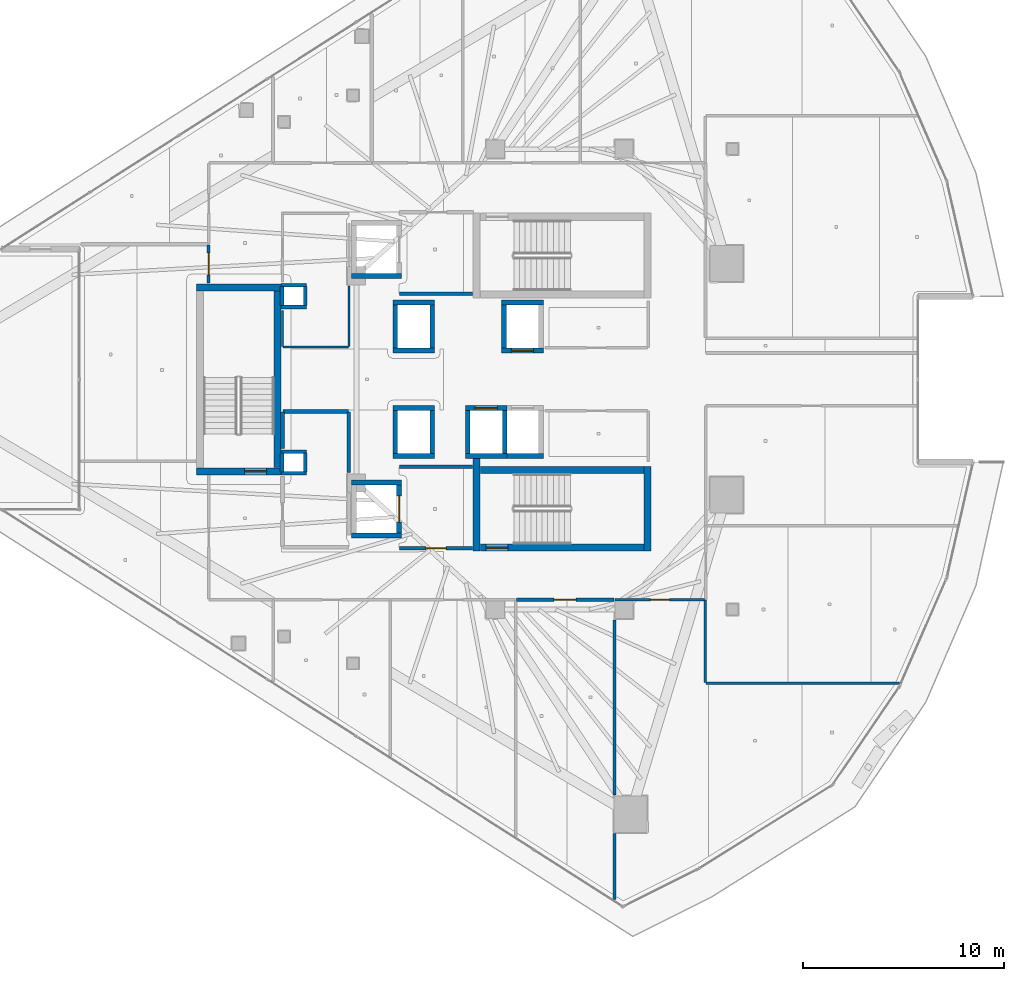
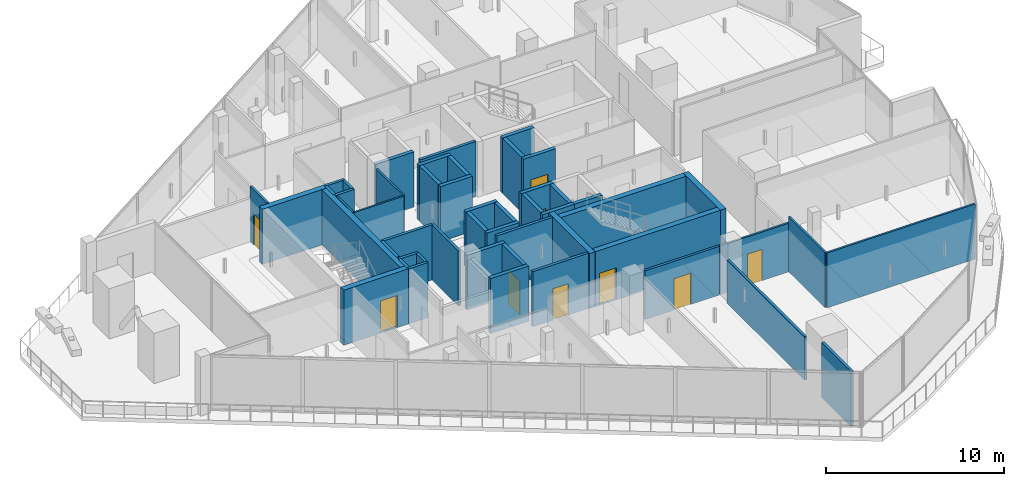
# One storey, part 21 of 32: 51 walls, 9 doors, 9 openings.
"""IFC4 building model written with IfcOpenShell, lengths in metres."""

from ifc_helpers import new_model, si_unit, direction, frame, frame_2d, origin, place, context, subcontext, project, spatial, rectangle, extrude, material, layer, layer_set, type_object, element, fill, save


model = new_model("IFC4")

# Units and contexts
model_context = context("Model", 3, precision=1e-05, world=origin(), true_north=direction((0.0, 1.0)))
body_context = subcontext(model_context, "Body", "Model", "MODEL_VIEW")
ifc_project = project(units=[si_unit("LENGTHUNIT", "METRE"), si_unit("AREAUNIT", "SQUARE_METRE"), si_unit("VOLUMEUNIT", "CUBIC_METRE"), si_unit("PLANEANGLEUNIT", "RADIAN"), si_unit("MASSUNIT", "GRAM", prefix="KILO")], contexts=[model_context])

# Site, building, storey
site_placement = place(None, origin())
site = spatial("IfcSite", under=ifc_project, at=site_placement, CompositionType="ELEMENT")
building_placement = place(site_placement, origin())
building = spatial("IfcBuilding", under=site, at=building_placement, Name="Qorvath Tower", CompositionType="ELEMENT")
storey_placement = place(building_placement, frame((0.0, 0.0, 233.39990234375)))
storey = spatial("IfcBuildingStorey", under=building, at=storey_placement, Name="L54", CompositionType="ELEMENT", Elevation=233.39990234375)

# Walls
ifc_material_1 = material(Name="Gypsum shaftliner on steel studs", Category="steel")
ifc_layer_1 = layer(ifc_material_1, 0.179931640625)
ifc_layer_set_1 = layer_set([ifc_layer_1], Name="FW-LOBBY")
wall_type_1 = type_object("IfcWallType", Name="FW-LOBBY", PredefinedType="PARTITIONING", material=ifc_layer_set_1)
for number, where, z_axis, x_axis, name in (
    (1, (-32.989990234375, 3.594970703125, 0.0), (0.0, 0.0, 1.0), (-1.0, 0.0, 0.0), "MEP Riser Shaft Enclosure Wall N-L54-S"),
    (2, (-34.260009765625, 4.675048828125, 0.0), (0.0, 0.0, 1.0), (1.0, 0.0, 0.0), "MEP Riser Shaft Enclosure Wall N-L54-N"),
):
    element("IfcWall", number, at=place(storey_placement, frame(where, z_axis=z_axis, x_axis=x_axis)), inside=storey, type_object=wall_type_1, Name=name, PredefinedType="PARTITIONING", context=body_context, shape_type="SweptSolid", body=[
        extrude(rectangle(XDim=1.27001953125, YDim=0.179931640625, at=frame_2d((0.635009765625, 0.0))), origin(), (0.0, 0.0, 1.0), 3.780029296875),
    ])
for number, where, z_axis, x_axis, name in (
    (3, (-34.205078125, 3.659912109375, 0.0), (0.0, 0.0, 1.0), (0.0, 1.0, 0.0), "MEP Riser Shaft Enclosure Wall N-L54-W"),
    (4, (-33.044921875, 4.610107421875, 0.0), (0.0, 0.0, 1.0), (0.0, -1.0, 0.0), "MEP Riser Shaft Enclosure Wall N-L54-E"),
):
    element("IfcWall", number, at=place(storey_placement, frame(where, z_axis=z_axis, x_axis=x_axis)), inside=storey, type_object=wall_type_1, Name=name, PredefinedType="PARTITIONING", context=body_context, shape_type="SweptSolid", body=[
        extrude(rectangle(XDim=0.9501953125, YDim=0.179931640625, at=frame_2d((0.47509765625, 0.0))), origin(), (0.0, 0.0, 1.0), 3.780029296875),
    ])
for number, where, z_axis, x_axis, name in (
    (5, (-32.989990234375, -4.675048828125, 0.0), (0.0, 0.0, 1.0), (-1.0, 0.0, 0.0), "MEP Riser Shaft Enclosure Wall S-L54-S"),
    (6, (-34.260009765625, -3.594970703125, 0.0), (0.0, 0.0, 1.0), (1.0, 0.0, 0.0), "MEP Riser Shaft Enclosure Wall S-L54-N"),
):
    element("IfcWall", number, at=place(storey_placement, frame(where, z_axis=z_axis, x_axis=x_axis)), inside=storey, type_object=wall_type_1, Name=name, PredefinedType="PARTITIONING", context=body_context, shape_type="SweptSolid", body=[
        extrude(rectangle(XDim=1.27001953125, YDim=0.179931640625, at=frame_2d((0.635009765625, 0.0))), origin(), (0.0, 0.0, 1.0), 3.780029296875),
    ])
for number, where, z_axis, x_axis, name in (
    (7, (-34.205078125, -4.610107421875, 0.0), (0.0, 0.0, 1.0), (0.0, 1.0, 0.0), "MEP Riser Shaft Enclosure Wall S-L54-W"),
    (8, (-33.044921875, -3.659912109375, 0.0), (0.0, 0.0, 1.0), (0.0, -1.0, 0.0), "MEP Riser Shaft Enclosure Wall S-L54-E"),
):
    element("IfcWall", number, at=place(storey_placement, frame(where, z_axis=z_axis, x_axis=x_axis)), inside=storey, type_object=wall_type_1, Name=name, PredefinedType="PARTITIONING", context=body_context, shape_type="SweptSolid", body=[
        extrude(rectangle(XDim=0.9501953125, YDim=0.179931640625, at=frame_2d((0.47509765625, 0.0))), origin(), (0.0, 0.0, 1.0), 3.780029296875),
    ])
wall_1_placement = place(storey_placement, frame((-28.35498046875, 4.25, 0.0), z_axis=(0.0, 0.0, 1.0), x_axis=(1.0, 0.0, 0.0)))
element("IfcWall", 9, at=wall_1_placement, inside=storey, type_object=wall_type_1, Name="Interior Partition IW-T1-L54-001", PredefinedType="PARTITIONING", context=body_context, shape_type="SweptSolid", body=[
    extrude(rectangle(XDim=3.6220703125, YDim=0.179931640625, at=frame_2d((1.81103515625, 0.0))), origin(), (0.0, 0.0, 1.0), 3.780029296875),
])

# Wall, opening, door
wall_2_placement = place(storey_placement, frame((-28.35498046875, -8.39990234375, 0.0), z_axis=(0.0, 0.0, 1.0), x_axis=(1.0, 0.0, 0.0)))
wall_2 = element("IfcWall", 10, at=wall_2_placement, inside=storey, type_object=wall_type_1, Name="Interior Partition IW-T1-L54-003", PredefinedType="PARTITIONING", context=body_context, shape_type="SweptSolid", body=[
    extrude(rectangle(XDim=3.6220703125, YDim=0.179931640625, at=frame_2d((1.81103515625, 0.0))), origin(), (0.0, 0.0, 1.0), 3.780029296875),
])
opening_1_placement = place(wall_2_placement, frame((1.31103515625, 0.0, 0.0)))
opening_1 = element("IfcOpeningElement", 11, at=opening_1_placement, cuts=wall_2, Name="Opening D-T1-L54-20", PredefinedType="OPENING", context=body_context, shape_type="SweptSolid", body=[
    extrude(rectangle(XDim=1.0, YDim=2.14990234375, at=frame_2d((0.5, 1.074951171875))), frame((0.0, 0.10009765625, 0.0), z_axis=(0.0, -1.0, 0.0), x_axis=(1.0, 0.0, 0.0)), (0.0, 0.0, 1.0), 0.199951171875),
])
ifc_material_2 = material(Name="Painted galvanised hollow metal", Category="steel")
door_type_1 = type_object("IfcDoorType", Name="FD-60", OperationType="NOTDEFINED", PredefinedType="DOOR", material=ifc_material_2)
door_1_placement = place(opening_1_placement, origin())
door_1 = element("IfcDoor", 12, at=door_1_placement, inside=storey, type_object=door_type_1, Name="Lobby Fire Service Elevator South Door D-T1-L54-20", OperationType="SINGLE_SWING_LEFT", OverallHeight=2.14990234375, OverallWidth=1.0, PredefinedType="DOOR", context=body_context, shape_type="SweptSolid", body=[
    extrude(rectangle(XDim=1.0, YDim=2.14990234375, at=frame_2d((0.5, 1.074951171875))), frame((0.0, 0.02490234375, 0.0), z_axis=(0.0, -1.0, 0.0), x_axis=(1.0, 0.0, 0.0)), (0.0, 0.0, 1.0), 0.050048828125),
])
fill(opening_1, door_1)

# Walls
wall_3_placement = place(storey_placement, frame((-24.73291015625, -4.35009765625, 0.0), z_axis=(0.0, 0.0, 1.0), x_axis=(-1.0, 0.0, 0.0)))
element("IfcWall", 13, at=wall_3_placement, inside=storey, type_object=wall_type_1, Name="Interior Partition IW-T1-L54-004", PredefinedType="PARTITIONING", context=body_context, shape_type="SweptSolid", body=[
    extrude(rectangle(XDim=3.6220703125, YDim=0.179931640625, at=frame_2d((1.81103515625, 0.0))), origin(), (0.0, 0.0, 1.0), 3.780029296875),
])
wall_4_placement = place(storey_placement, frame((-30.8798828125, -4.635009765625, 0.0), z_axis=(0.0, 0.0, 1.0), x_axis=(0.0, 1.0, 0.0)))
element("IfcWall", 14, at=wall_4_placement, inside=storey, type_object=wall_type_1, Name="Interior Partition IW-T1-L54-017", PredefinedType="PARTITIONING", context=body_context, shape_type="SweptSolid", body=[
    extrude(rectangle(XDim=3.010009765625, YDim=0.179931640625, at=frame_2d((1.5048828125, 0.0))), origin(), (0.0, 0.0, 1.0), 3.780029296875),
])
wall_5_placement = place(storey_placement, frame((-30.90478515625, -1.60009765625, 0.0), z_axis=(0.0, 0.0, 1.0), x_axis=(-1.0, 0.0, 0.0)))
element("IfcWall", 15, at=wall_5_placement, inside=storey, type_object=wall_type_1, Name="Interior Partition IW-T1-L54-018", PredefinedType="PARTITIONING", context=body_context, shape_type="SweptSolid", body=[
    extrude(rectangle(XDim=3.25, YDim=0.179931640625, at=frame_2d((1.625, 0.0))), origin(), (0.0, 0.0, 1.0), 3.780029296875),
])
wall_6_placement = place(storey_placement, frame((-34.179931640625, -1.625, 0.0), z_axis=(0.0, 0.0, 1.0), x_axis=(0.0, -1.0, 0.0)))
element("IfcWall", 16, at=wall_6_placement, inside=storey, type_object=wall_type_1, Name="Interior Partition IW-T1-L54-019", PredefinedType="PARTITIONING", context=body_context, shape_type="SweptSolid", body=[
    extrude(rectangle(XDim=1.804931640625, YDim=0.179931640625, at=frame_2d((0.90234375, 0.0))), origin(), (0.0, 0.0, 1.0), 3.780029296875),
])
ifc_material_3 = material(Name="Double acoustic gypsum board on steel studs", Category="steel")
ifc_layer_2 = layer(ifc_material_3, 0.159912109375)
ifc_layer_set_2 = layer_set([ifc_layer_2], Name="IW-ACOUSTIC-160")
wall_type_2 = type_object("IfcWallType", Name="IW-ACOUSTIC-160", PredefinedType="PARTITIONING", material=ifc_layer_set_2)
wall_7_placement = place(storey_placement, frame((-17.676025390625, -25.88134765625, 0.0), z_axis=(0.0, 0.0, 1.0), x_axis=(0.0, 1.0, 0.0)))
element("IfcWall", 17, at=wall_7_placement, inside=storey, type_object=wall_type_2, Name="Interior Partition IW-T1-L54-036", PredefinedType="PARTITIONING", context=body_context, shape_type="SweptSolid", body=[
    extrude(rectangle(XDim=3.289306640625, YDim=0.159912109375, at=frame_2d((1.64453125, 0.0))), origin(), (0.0, 0.0, 1.0), 3.780029296875),
])
wall_8_placement = place(storey_placement, frame((-17.676025390625, -20.662109375, 0.0), z_axis=(0.0, 0.0, 1.0), x_axis=(0.0, 1.0, 0.0)))
element("IfcWall", 18, at=wall_8_placement, inside=storey, type_object=wall_type_2, Name="Interior Partition IW-T1-L54-037", PredefinedType="PARTITIONING", context=body_context, shape_type="SweptSolid", body=[
    extrude(rectangle(XDim=8.697021484375, YDim=0.159912109375, at=frame_2d((4.3486328125, 0.0))), origin(), (0.0, 0.0, 1.0), 2.97705078125),
])

# Wall, opening, door
wall_9_placement = place(storey_placement, frame((-17.700927734375, -10.9580078125, 0.0), z_axis=(0.0, 0.0, 1.0), x_axis=(-1.0, 0.0, 0.0)))
wall_9 = element("IfcWall", 19, at=wall_9_placement, inside=storey, type_object=wall_type_2, Name="Interior Partition IW-T1-L54-038", PredefinedType="PARTITIONING", context=body_context, shape_type="SweptSolid", body=[
    extrude(rectangle(XDim=4.853271484375, YDim=0.159912109375, at=frame_2d((2.4267578125, 0.0))), origin(), (0.0, 0.0, 1.0), 3.34375),
])
opening_2_placement = place(wall_9_placement, frame((1.876708984375, 0.0, 0.0)))
opening_2 = element("IfcOpeningElement", 20, at=opening_2_placement, cuts=wall_9, Name="Opening D-T1-L54-11", PredefinedType="OPENING", context=body_context, shape_type="SweptSolid", body=[
    extrude(rectangle(XDim=1.10009765625, YDim=2.14990234375, at=frame_2d((0.550048828125, 1.074951171875))), frame((0.0, 0.08984375, 0.0), z_axis=(0.0, -1.0, 0.0), x_axis=(1.0, 0.0, 0.0)), (0.0, 0.0, 1.0), 0.179931640625),
])
ifc_material_4 = material(Name="Anodised aluminium acoustic framed glass", Category="aluminium")
door_type_2 = type_object("IfcDoorType", Name="D-03", OperationType="NOTDEFINED", PredefinedType="DOOR", material=ifc_material_4)
door_2_placement = place(opening_2_placement, origin())
door_2 = element("IfcDoor", 21, at=door_2_placement, inside=storey, type_object=door_type_2, Name="L54-07 Digital Visualization Suite Door D-T1-L54-11", OperationType="SINGLE_SWING_RIGHT", OverallHeight=2.14990234375, OverallWidth=1.10009765625, PredefinedType="DOOR", context=body_context, shape_type="SweptSolid", body=[
    extrude(rectangle(XDim=1.10009765625, YDim=2.14990234375, at=frame_2d((0.550048828125, 1.074951171875))), frame((0.0, 0.02490234375, 0.0), z_axis=(0.0, -1.0, 0.0), x_axis=(1.0, 0.0, 0.0)), (0.0, 0.0, 1.0), 0.050048828125),
])
fill(opening_2, door_2)

wall_10_placement = place(storey_placement, frame((-37.85791015625, 4.783203125, 0.0), z_axis=(0.0, 0.0, 1.0), x_axis=(0.0, 1.0, 0.0)))
wall_10 = element("IfcWall", 22, at=wall_10_placement, inside=storey, type_object=wall_type_2, Name="Interior Partition IW-T1-L54-052", PredefinedType="PARTITIONING", context=body_context, shape_type="SweptSolid", body=[
    extrude(rectangle(XDim=1.907958984375, YDim=0.159912109375, at=frame_2d((0.9541015625, 0.0))), origin(), (0.0, 0.0, 1.0), 3.780029296875),
])
opening_3_placement = place(wall_10_placement, frame((0.404052734375, 0.0, 0.0)))
opening_3 = element("IfcOpeningElement", 23, at=opening_3_placement, cuts=wall_10, Name="Opening D-T1-L54-17", PredefinedType="OPENING", context=body_context, shape_type="SweptSolid", body=[
    extrude(rectangle(XDim=1.10009765625, YDim=2.14990234375, at=frame_2d((0.550048828125, 1.074951171875))), frame((0.0, 0.08984375, 0.0), z_axis=(0.0, -1.0, 0.0), x_axis=(1.0, 0.0, 0.0)), (0.0, 0.0, 1.0), 0.179931640625),
])
door_3_placement = place(opening_3_placement, origin())
door_3 = element("IfcDoor", 24, at=door_3_placement, inside=storey, type_object=door_type_2, Name="L54-13 Client Services Office Door D-T1-L54-17", OperationType="SINGLE_SWING_RIGHT", OverallHeight=2.14990234375, OverallWidth=1.10009765625, PredefinedType="DOOR", context=body_context, shape_type="SweptSolid", body=[
    extrude(rectangle(XDim=1.10009765625, YDim=2.14990234375, at=frame_2d((0.550048828125, 1.074951171875))), frame((0.0, 0.02490234375, 0.0), z_axis=(0.0, -1.0, 0.0), x_axis=(1.0, 0.0, 0.0)), (0.0, 0.0, 1.0), 0.050048828125),
])
fill(opening_3, door_3)

# Walls
ifc_material_5 = material(Name="Gypsum board on metal studs with mineral wool", Category="gypsum")
ifc_layer_3 = layer(ifc_material_5, 0.125)
ifc_layer_set_3 = layer_set([ifc_layer_3], Name="IW-PART-125")
wall_type_3 = type_object("IfcWallType", Name="IW-PART-125", PredefinedType="PARTITIONING", material=ifc_layer_set_3)
wall_11_placement = place(storey_placement, frame((-3.506103515625, -15.11181640625, 0.0), z_axis=(0.0, 0.0, 1.0), x_axis=(-0.999999690456, 0.000786821757, 0.0)))
element("IfcWall", 25, at=wall_11_placement, inside=storey, type_object=wall_type_3, Name="Interior Partition IW-T1-L54-039", PredefinedType="PARTITIONING", context=body_context, shape_type="SweptSolid", body=[
    extrude(rectangle(XDim=9.618896484375, YDim=0.125, at=frame_2d((4.8095703125, 0.0))), origin(), (0.0, 0.0, 1.0), 3.780029296875),
])
wall_12_placement = place(storey_placement, frame((-13.14990234375, -10.98291015625, 0.0), z_axis=(0.0, 0.0, 1.0), x_axis=(0.0, -1.0, 0.0)))
element("IfcWall", 26, at=wall_12_placement, inside=storey, type_object=wall_type_3, Name="Interior Partition IW-T1-L54-040", PredefinedType="PARTITIONING", context=body_context, shape_type="SweptSolid", body=[
    extrude(rectangle(XDim=4.09619140625, YDim=0.125, at=frame_2d((2.048095703125, 0.0))), origin(), (0.0, 0.0, 1.0), 3.780029296875),
])

# Wall, opening, door
wall_13_placement = place(storey_placement, frame((-13.1748046875, -10.9580078125, 0.0), z_axis=(0.0, 0.0, 1.0), x_axis=(-1.0, 0.0, 0.0)))
wall_13 = element("IfcWall", 27, at=wall_13_placement, inside=storey, type_object=wall_type_3, Name="Interior Partition IW-T1-L54-041", PredefinedType="PARTITIONING", context=body_context, shape_type="SweptSolid", body=[
    extrude(rectangle(XDim=4.46826171875, YDim=0.125, at=frame_2d((2.234130859375, 0.0))), origin(), (0.0, 0.0, 1.0), 3.34375),
])
opening_4_placement = place(wall_13_placement, frame((1.759033203125, 0.0, 0.0)))
opening_4 = element("IfcOpeningElement", 28, at=opening_4_placement, cuts=wall_13, Name="Opening D-T1-L54-12", PredefinedType="OPENING", context=body_context, shape_type="SweptSolid", body=[
    extrude(rectangle(XDim=0.949951171875, YDim=2.14990234375, at=frame_2d((0.47509765625, 1.074951171875))), frame((0.0, 0.072509765625, 0.0), z_axis=(0.0, -1.0, 0.0), x_axis=(1.0, 0.0, 0.0)), (0.0, 0.0, 1.0), 0.14501953125),
])
ifc_material_6 = material(Name="Solid-core American white oak veneer", Category="wood")
door_type_3 = type_object("IfcDoorType", Name="D-01", OperationType="NOTDEFINED", PredefinedType="DOOR", material=ifc_material_6)
door_4_placement = place(opening_4_placement, origin())
door_4 = element("IfcDoor", 29, at=door_4_placement, inside=storey, type_object=door_type_3, Name="L54-08 Quantitative Research Studio Door D-T1-L54-12", OperationType="SINGLE_SWING_LEFT", OverallHeight=2.14990234375, OverallWidth=0.949951171875, PredefinedType="DOOR", context=body_context, shape_type="SweptSolid", body=[
    extrude(rectangle(XDim=0.949951171875, YDim=2.14990234375, at=frame_2d((0.47509765625, 1.074951171875))), frame((0.0, 0.02490234375, 0.0), z_axis=(0.0, -1.0, 0.0), x_axis=(1.0, 0.0, 0.0)), (0.0, 0.0, 1.0), 0.050048828125),
])
fill(opening_4, door_4)

# Walls
ifc_material_7 = material(Name="Moisture-resistant cement board on metal studs", Category="gypsum")
ifc_layer_4 = layer(ifc_material_7, 0.110107421875)
ifc_layer_set_4 = layer_set([ifc_layer_4], Name="IW-WC-110")
wall_type_4 = type_object("IfcWallType", Name="IW-WC-110", PredefinedType="PARTITIONING", material=ifc_layer_set_4)
wall_14_placement = place(storey_placement, frame((-34.15478515625, 1.60009765625, 0.0), z_axis=(0.0, 0.0, 1.0), x_axis=(1.0, 0.0, 0.0)))
element("IfcWall", 30, at=wall_14_placement, inside=storey, type_object=wall_type_4, Name="Interior Partition IW-T1-L54-005", PredefinedType="PARTITIONING", context=body_context, shape_type="SweptSolid", body=[
    extrude(rectangle(XDim=3.25, YDim=0.110107421875, at=frame_2d((1.625, 0.0))), origin(), (0.0, 0.0, 1.0), 3.780029296875),
])
wall_15_placement = place(storey_placement, frame((-30.8798828125, 1.625, 0.0), z_axis=(0.0, 0.0, 1.0), x_axis=(0.0, 1.0, 0.0)))
element("IfcWall", 31, at=wall_15_placement, inside=storey, type_object=wall_type_4, Name="Interior Partition IW-T1-L54-006", PredefinedType="PARTITIONING", context=body_context, shape_type="SweptSolid", body=[
    extrude(rectangle(XDim=3.010009765625, YDim=0.110107421875, at=frame_2d((1.5048828125, 0.0))), origin(), (0.0, 0.0, 1.0), 3.780029296875),
])
wall_16_placement = place(storey_placement, frame((-34.179931640625, 3.429931640625, 0.0), z_axis=(0.0, 0.0, 1.0), x_axis=(0.0, -1.0, 0.0)))
element("IfcWall", 32, at=wall_16_placement, inside=storey, type_object=wall_type_4, Name="Interior Partition IW-T1-L54-010", PredefinedType="PARTITIONING", context=body_context, shape_type="SweptSolid", body=[
    extrude(rectangle(XDim=1.804931640625, YDim=0.110107421875, at=frame_2d((0.90234375, 0.0))), origin(), (0.0, 0.0, 1.0), 3.780029296875),
])
ifc_material_8 = material(Name="Concrete C60/75", Category="concrete")
ifc_layer_5 = layer(ifc_material_8, 0.260009765625)
ifc_layer_set_5 = layer_set([ifc_layer_5], Name="SW-SHAFT")
wall_type_5 = type_object("IfcWallType", Name="SW-SHAFT", PredefinedType="SHEAR", material=ifc_layer_set_5)
for number, where, z_axis, x_axis, name in (
    (33, (-28.260009765625, 5.1298828125, 0.0), (0.0, 0.0, 1.0), (-1.0, 0.0, 0.0), "Hoistway Wall FSAE-1 L54 S"),
    (34, (-28.260009765625, -7.77001953125, 0.0), (0.0, 0.0, 1.0), (-1.0, 0.0, 0.0), "Hoistway Wall FSAE-2 L54 S"),
    (35, (-30.739990234375, -5.1298828125, 0.0), (0.0, 0.0, 1.0), (1.0, 0.0, 0.0), "Hoistway Wall FSAE-2 L54 N"),
):
    element("IfcWall", number, at=place(storey_placement, frame(where, z_axis=z_axis, x_axis=x_axis)), inside=storey, type_object=wall_type_5, Name=name, PredefinedType="SHEAR", context=body_context, shape_type="SweptSolid", body=[
        extrude(rectangle(XDim=2.47998046875, YDim=0.239990234375, at=frame_2d((1.239990234375, 0.0))), origin(), (0.0, 0.0, 1.0), 3.780029296875),
    ])

# Wall, opening, door
wall_17_placement = place(storey_placement, frame((-28.3798828125, -5.261962890625, 0.0), z_axis=(0.0, 0.0, 1.0), x_axis=(0.0, -1.0, 0.0)))
wall_17 = element("IfcWall", 36, at=wall_17_placement, inside=storey, type_object=wall_type_5, Name="Hoistway Wall FSAE-2 L54 E", PredefinedType="SHEAR", context=body_context, shape_type="SweptSolid", body=[
    extrude(rectangle(XDim=2.3759765625, YDim=0.239990234375, at=frame_2d((1.18798828125, 0.0))), origin(), (0.0, 0.0, 1.0), 3.780029296875),
])
opening_5_placement = place(wall_17_placement, frame((0.5380859375, 0.0, 0.0)))
opening_5 = element("IfcOpeningElement", 37, at=opening_5_placement, cuts=wall_17, Name="Opening LD-FSAE-2-L54", PredefinedType="OPENING", context=body_context, shape_type="SweptSolid", body=[
    extrude(rectangle(XDim=1.300048828125, YDim=2.300048828125, at=frame_2d((0.64990234375, 1.14990234375))), frame((0.0, 0.1298828125, 0.0), z_axis=(0.0, -1.0, 0.0), x_axis=(1.0, 0.0, 0.0)), (0.0, 0.0, 1.0), 0.260009765625),
])
ifc_material_9 = material(Name="Brushed stainless steel AISI 316", Category="steel")
door_type_4 = type_object("IfcDoorType", Name="LD-02", OperationType="NOTDEFINED", PredefinedType="DOOR", material=ifc_material_9)
door_5_placement = place(opening_5_placement, origin())
door_5 = element("IfcDoor", 38, at=door_5_placement, inside=storey, type_object=door_type_4, Name="Elevator Landing Sliding Door LD-FSAE-2-L54", OperationType="DOUBLE_DOOR_SLIDING", OverallHeight=2.300048828125, OverallWidth=1.300048828125, PredefinedType="DOOR", context=body_context, shape_type="SweptSolid", body=[
    extrude(rectangle(XDim=1.300048828125, YDim=2.300048828125, at=frame_2d((0.64990234375, 1.14990234375))), frame((0.0, 0.02490234375, 0.0), z_axis=(0.0, -1.0, 0.0), x_axis=(1.0, 0.0, 0.0)), (0.0, 0.0, 1.0), 0.050048828125),
])
fill(opening_5, door_5)

# Walls
for number, where, z_axis, x_axis, name in (
    (39, (-26.610107421875, 1.429931640625, 0.0), (0.0, 0.0, 1.0), (-1.0, 0.0, 0.0), "Hoistway Wall PS-1 L54 S"),
    (40, (-28.68994140625, 3.820068359375, 0.0), (0.0, 0.0, 1.0), (1.0, 0.0, 0.0), "Hoistway Wall PS-1 L54 N"),
):
    element("IfcWall", number, at=place(storey_placement, frame(where, z_axis=z_axis, x_axis=x_axis)), inside=storey, type_object=wall_type_5, Name=name, PredefinedType="SHEAR", context=body_context, shape_type="SweptSolid", body=[
        extrude(rectangle(XDim=2.079833984375, YDim=0.239990234375, at=frame_2d((1.0400390625, 0.0))), origin(), (0.0, 0.0, 1.0), 3.780029296875),
    ])
for number, where, z_axis, x_axis, name in (
    (41, (-28.570068359375, 1.56201171875, 0.0), (0.0, 0.0, 1.0), (0.0, 1.0, 0.0), "Hoistway Wall PS-1 L54 W"),
    (42, (-26.72998046875, 3.68798828125, 0.0), (0.0, 0.0, 1.0), (0.0, -1.0, 0.0), "Hoistway Wall PS-1 L54 E"),
):
    element("IfcWall", number, at=place(storey_placement, frame(where, z_axis=z_axis, x_axis=x_axis)), inside=storey, type_object=wall_type_5, Name=name, PredefinedType="SHEAR", context=body_context, shape_type="SweptSolid", body=[
        extrude(rectangle(XDim=2.1259765625, YDim=0.239990234375, at=frame_2d((1.06298828125, 0.0))), origin(), (0.0, 0.0, 1.0), 3.780029296875),
    ])

# Wall, opening, door
wall_18_placement = place(storey_placement, frame((-21.2099609375, 1.429931640625, 0.0), z_axis=(0.0, 0.0, 1.0), x_axis=(-1.0, 0.0, 0.0)))
wall_18 = element("IfcWall", 43, at=wall_18_placement, inside=storey, type_object=wall_type_5, Name="Hoistway Wall PU-1 L54 S", PredefinedType="SHEAR", context=body_context, shape_type="SweptSolid", body=[
    extrude(rectangle(XDim=2.080078125, YDim=0.239990234375, at=frame_2d((1.0400390625, 0.0))), origin(), (0.0, 0.0, 1.0), 3.780029296875),
])
opening_6_placement = place(wall_18_placement, frame((0.489990234375, 0.0, 0.0)))
opening_6 = element("IfcOpeningElement", 44, at=opening_6_placement, cuts=wall_18, Name="Opening LD-PU-1-L54", PredefinedType="OPENING", context=body_context, shape_type="SweptSolid", body=[
    extrude(rectangle(XDim=1.10009765625, YDim=2.199951171875, at=frame_2d((0.550048828125, 1.10009765625))), frame((0.0, 0.1298828125, 0.0), z_axis=(0.0, -1.0, 0.0), x_axis=(1.0, 0.0, 0.0)), (0.0, 0.0, 1.0), 0.260009765625),
])
ifc_material_10 = material(Name="Brushed stainless steel AISI 316", Category="steel")
door_type_5 = type_object("IfcDoorType", Name="LD-01", OperationType="NOTDEFINED", PredefinedType="DOOR", material=ifc_material_10)
door_6_placement = place(opening_6_placement, origin())
door_6 = element("IfcDoor", 45, at=door_6_placement, inside=storey, type_object=door_type_5, Name="Elevator Landing Sliding Door LD-PU-1-L54", OperationType="DOUBLE_DOOR_SLIDING", OverallHeight=2.199951171875, OverallWidth=1.10009765625, PredefinedType="DOOR", context=body_context, shape_type="SweptSolid", body=[
    extrude(rectangle(XDim=1.10009765625, YDim=2.199951171875, at=frame_2d((0.550048828125, 1.10009765625))), frame((0.0, 0.02490234375, 0.0), z_axis=(0.0, -1.0, 0.0), x_axis=(1.0, 0.0, 0.0)), (0.0, 0.0, 1.0), 0.050048828125),
])
fill(opening_6, door_6)

# Walls
wall_19_placement = place(storey_placement, frame((-23.2900390625, 3.820068359375, 0.0), z_axis=(0.0, 0.0, 1.0), x_axis=(1.0, 0.0, 0.0)))
element("IfcWall", 46, at=wall_19_placement, inside=storey, type_object=wall_type_5, Name="Hoistway Wall PU-1 L54 N", PredefinedType="SHEAR", context=body_context, shape_type="SweptSolid", body=[
    extrude(rectangle(XDim=2.080078125, YDim=0.239990234375, at=frame_2d((1.0400390625, 0.0))), origin(), (0.0, 0.0, 1.0), 3.780029296875),
])
wall_20_placement = place(storey_placement, frame((-23.169921875, 1.56201171875, 0.0), z_axis=(0.0, 0.0, 1.0), x_axis=(0.0, 1.0, 0.0)))
element("IfcWall", 47, at=wall_20_placement, inside=storey, type_object=wall_type_5, Name="Hoistway Wall PU-1 L54 W", PredefinedType="SHEAR", context=body_context, shape_type="SweptSolid", body=[
    extrude(rectangle(XDim=2.1259765625, YDim=0.239990234375, at=frame_2d((1.06298828125, 0.0))), origin(), (0.0, 0.0, 1.0), 3.780029296875),
])
for number, where, z_axis, x_axis, name in (
    (48, (-26.610107421875, -3.820068359375, 0.0), (0.0, 0.0, 1.0), (-1.0, 0.0, 0.0), "Hoistway Wall PS-2 L54 S"),
    (49, (-28.68994140625, -1.429931640625, 0.0), (0.0, 0.0, 1.0), (1.0, 0.0, 0.0), "Hoistway Wall PS-2 L54 N"),
):
    element("IfcWall", number, at=place(storey_placement, frame(where, z_axis=z_axis, x_axis=x_axis)), inside=storey, type_object=wall_type_5, Name=name, PredefinedType="SHEAR", context=body_context, shape_type="SweptSolid", body=[
        extrude(rectangle(XDim=2.079833984375, YDim=0.239990234375, at=frame_2d((1.0400390625, 0.0))), origin(), (0.0, 0.0, 1.0), 3.780029296875),
    ])
for number, where, z_axis, x_axis, name in (
    (50, (-28.570068359375, -3.68798828125, 0.0), (0.0, 0.0, 1.0), (0.0, 1.0, 0.0), "Hoistway Wall PS-2 L54 W"),
    (51, (-26.72998046875, -1.56201171875, 0.0), (0.0, 0.0, 1.0), (0.0, -1.0, 0.0), "Hoistway Wall PS-2 L54 E"),
):
    element("IfcWall", number, at=place(storey_placement, frame(where, z_axis=z_axis, x_axis=x_axis)), inside=storey, type_object=wall_type_5, Name=name, PredefinedType="SHEAR", context=body_context, shape_type="SweptSolid", body=[
        extrude(rectangle(XDim=2.1259765625, YDim=0.239990234375, at=frame_2d((1.06298828125, 0.0))), origin(), (0.0, 0.0, 1.0), 3.780029296875),
    ])
wall_21_placement = place(storey_placement, frame((-23.010009765625, -3.820068359375, 0.0), z_axis=(0.0, 0.0, 1.0), x_axis=(-1.0, 0.0, 0.0)))
element("IfcWall", 52, at=wall_21_placement, inside=storey, type_object=wall_type_5, Name="Hoistway Wall PU-2 L54 S", PredefinedType="SHEAR", context=body_context, shape_type="SweptSolid", body=[
    extrude(rectangle(XDim=2.080078125, YDim=0.239990234375, at=frame_2d((1.0400390625, 0.0))), origin(), (0.0, 0.0, 1.0), 3.780029296875),
])

# Wall, opening, door
wall_22_placement = place(storey_placement, frame((-25.090087890625, -1.429931640625, 0.0), z_axis=(0.0, 0.0, 1.0), x_axis=(1.0, 0.0, 0.0)))
wall_22 = element("IfcWall", 53, at=wall_22_placement, inside=storey, type_object=wall_type_5, Name="Hoistway Wall PU-2 L54 N", PredefinedType="SHEAR", context=body_context, shape_type="SweptSolid", body=[
    extrude(rectangle(XDim=2.080078125, YDim=0.239990234375, at=frame_2d((1.0400390625, 0.0))), origin(), (0.0, 0.0, 1.0), 3.780029296875),
])
opening_7_placement = place(wall_22_placement, frame((0.489990234375, 0.0, 0.0)))
opening_7 = element("IfcOpeningElement", 54, at=opening_7_placement, cuts=wall_22, Name="Opening LD-PU-2-L54", PredefinedType="OPENING", context=body_context, shape_type="SweptSolid", body=[
    extrude(rectangle(XDim=1.10009765625, YDim=2.199951171875, at=frame_2d((0.550048828125, 1.10009765625))), frame((0.0, 0.1298828125, 0.0), z_axis=(0.0, -1.0, 0.0), x_axis=(1.0, 0.0, 0.0)), (0.0, 0.0, 1.0), 0.260009765625),
])
door_7_placement = place(opening_7_placement, origin())
door_7 = element("IfcDoor", 55, at=door_7_placement, inside=storey, type_object=door_type_5, Name="Elevator Landing Sliding Door LD-PU-2-L54", OperationType="DOUBLE_DOOR_SLIDING", OverallHeight=2.199951171875, OverallWidth=1.10009765625, PredefinedType="DOOR", context=body_context, shape_type="SweptSolid", body=[
    extrude(rectangle(XDim=1.10009765625, YDim=2.199951171875, at=frame_2d((0.550048828125, 1.10009765625))), frame((0.0, 0.02490234375, 0.0), z_axis=(0.0, -1.0, 0.0), x_axis=(1.0, 0.0, 0.0)), (0.0, 0.0, 1.0), 0.050048828125),
])
fill(opening_7, door_7)

# Walls
for number, where, z_axis, x_axis, name in (
    (56, (-24.969970703125, -3.68798828125, 0.0), (0.0, 0.0, 1.0), (0.0, 1.0, 0.0), "Hoistway Wall PU-2 L54 W"),
    (57, (-23.1298828125, -1.56201171875, 0.0), (0.0, 0.0, 1.0), (0.0, -1.0, 0.0), "Hoistway Wall PU-2 L54 E"),
):
    element("IfcWall", number, at=place(storey_placement, frame(where, z_axis=z_axis, x_axis=x_axis)), inside=storey, type_object=wall_type_5, Name=name, PredefinedType="SHEAR", context=body_context, shape_type="SweptSolid", body=[
        extrude(rectangle(XDim=2.1259765625, YDim=0.239990234375, at=frame_2d((1.06298828125, 0.0))), origin(), (0.0, 0.0, 1.0), 3.780029296875),
    ])
wall_23_placement = place(storey_placement, frame((-21.2099609375, -3.820068359375, 0.0), z_axis=(0.0, 0.0, 1.0), x_axis=(-1.0, 0.0, 0.0)))
element("IfcWall", 58, at=wall_23_placement, inside=storey, type_object=wall_type_5, Name="Hoistway Wall PU-3 L54 S", PredefinedType="SHEAR", context=body_context, shape_type="SweptSolid", body=[
    extrude(rectangle(XDim=1.800048828125, YDim=0.239990234375, at=frame_2d((0.89990234375, 0.0))), origin(), (0.0, 0.0, 1.0), 3.780029296875),
])
ifc_material_11 = material(Name="Concrete C60/75", Category="concrete")
ifc_layer_6 = layer(ifc_material_11, 0.35009765625)
ifc_layer_set_6 = layer_set([ifc_layer_6], Name="SW-STAIR")
wall_type_6 = type_object("IfcWallType", Name="SW-STAIR", PredefinedType="SHEAR", material=ifc_layer_set_6)
wall_24_placement = place(storey_placement, frame((-24.52490234375, -3.93994140625, 0.0), z_axis=(0.0, 0.0, 1.0), x_axis=(0.0, -1.0, 0.0)))
element("IfcWall", 59, at=wall_24_placement, inside=storey, type_object=wall_type_6, Name="Stair TS2 Shear Wall L54 NEAR", PredefinedType="SHEAR", context=body_context, shape_type="SweptSolid", body=[
    extrude(rectangle(XDim=4.610107421875, YDim=0.35009765625, at=frame_2d((2.30517578125, 0.0))), origin(), (0.0, 0.0, 1.0), 3.780029296875),
])
wall_25_placement = place(storey_placement, frame((-16.02490234375, -8.550048828125, 0.0), z_axis=(0.0, 0.0, 1.0), x_axis=(0.0, 1.0, 0.0)))
element("IfcWall", 60, at=wall_25_placement, inside=storey, type_object=wall_type_6, Name="Stair TS2 Shear Wall L54 FAR", PredefinedType="SHEAR", context=body_context, shape_type="SweptSolid", body=[
    extrude(rectangle(XDim=4.2099609375, YDim=0.35009765625, at=frame_2d((2.10498046875, 0.0))), origin(), (0.0, 0.0, 1.0), 3.780029296875),
])

# Wall, opening, door
wall_26_placement = place(storey_placement, frame((-24.3349609375, -8.375, 0.0), z_axis=(0.0, 0.0, 1.0), x_axis=(1.0, 0.0, 0.0)))
wall_26 = element("IfcWall", 61, at=wall_26_placement, inside=storey, type_object=wall_type_6, Name="Stair TS2 Shear Wall L54 LEFT", PredefinedType="SHEAR", context=body_context, shape_type="SweptSolid", body=[
    extrude(rectangle(XDim=8.119873046875, YDim=0.35009765625, at=frame_2d((4.06005859375, 0.0))), origin(), (0.0, 0.0, 1.0), 3.780029296875),
])
opening_8_placement = place(wall_26_placement, frame((0.280029296875, 0.0, 0.0)))
opening_8 = element("IfcOpeningElement", 62, at=opening_8_placement, cuts=wall_26, Name="Opening D-TS2-L54", PredefinedType="OPENING", context=body_context, shape_type="SweptSolid", body=[
    extrude(rectangle(XDim=1.10009765625, YDim=2.199951171875, at=frame_2d((0.550048828125, 1.10009765625))), frame((0.0, 0.18505859375, 0.0), z_axis=(0.0, -1.0, 0.0), x_axis=(1.0, 0.0, 0.0)), (0.0, 0.0, 1.0), 0.3701171875),
])
ifc_material_12 = material(Name="Painted galvanised hollow metal", Category="steel")
door_type_6 = type_object("IfcDoorType", Name="FD-90", OperationType="NOTDEFINED", PredefinedType="DOOR", material=ifc_material_12)
door_8_placement = place(opening_8_placement, origin())
door_8 = element("IfcDoor", 63, at=door_8_placement, inside=storey, type_object=door_type_6, Name="Stair TS2 Fire Door L54", OperationType="SINGLE_SWING_LEFT", OverallHeight=2.199951171875, OverallWidth=1.10009765625, PredefinedType="DOOR", context=body_context, shape_type="SweptSolid", body=[
    extrude(rectangle(XDim=1.10009765625, YDim=2.199951171875, at=frame_2d((0.550048828125, 1.10009765625))), frame((0.0, 0.02490234375, 0.0), z_axis=(0.0, -1.0, 0.0), x_axis=(1.0, 0.0, 0.0)), (0.0, 0.0, 1.0), 0.050048828125),
])
fill(opening_8, door_8)

# Wall
wall_27_placement = place(storey_placement, frame((-16.215087890625, -4.514892578125, 0.0), z_axis=(0.0, 0.0, 1.0), x_axis=(-1.0, 0.0, 0.0)))
element("IfcWall", 64, at=wall_27_placement, inside=storey, type_object=wall_type_6, Name="Stair TS2 Shear Wall L54 RIGHT", PredefinedType="SHEAR", context=body_context, shape_type="SweptSolid", body=[
    extrude(rectangle(XDim=8.119873046875, YDim=0.35009765625, at=frame_2d((4.06005859375, 0.0))), origin(), (0.0, 0.0, 1.0), 3.780029296875),
])

# Wall, opening, door
wall_28_placement = place(storey_placement, frame((-38.4599609375, -4.574951171875, 0.0), z_axis=(0.0, 0.0, 1.0), x_axis=(1.0, 0.0, 0.0)))
wall_28 = element("IfcWall", 65, at=wall_28_placement, inside=storey, type_object=wall_type_6, Name="Stair TS3 Shear Wall L54 NEAR", PredefinedType="SHEAR", context=body_context, shape_type="SweptSolid", body=[
    extrude(rectangle(XDim=4.2099609375, YDim=0.35009765625, at=frame_2d((2.10498046875, 0.0))), origin(), (0.0, 0.0, 1.0), 3.780029296875),
])
opening_9_placement = place(wall_28_placement, frame((2.389892578125, 0.0, 0.0)))
opening_9 = element("IfcOpeningElement", 66, at=opening_9_placement, cuts=wall_28, Name="Opening D-TS3-L54", PredefinedType="OPENING", context=body_context, shape_type="SweptSolid", body=[
    extrude(rectangle(XDim=1.10009765625, YDim=2.199951171875, at=frame_2d((0.550048828125, 1.10009765625))), frame((0.0, 0.18505859375, 0.0), z_axis=(0.0, -1.0, 0.0), x_axis=(1.0, 0.0, 0.0)), (0.0, 0.0, 1.0), 0.3701171875),
])
door_9_placement = place(opening_9_placement, origin())
door_9 = element("IfcDoor", 67, at=door_9_placement, inside=storey, type_object=door_type_6, Name="Stair TS3 Fire Door L54", OperationType="SINGLE_SWING_LEFT", OverallHeight=2.199951171875, OverallWidth=1.10009765625, PredefinedType="DOOR", context=body_context, shape_type="SweptSolid", body=[
    extrude(rectangle(XDim=1.10009765625, YDim=2.199951171875, at=frame_2d((0.550048828125, 1.10009765625))), frame((0.0, 0.02490234375, 0.0), z_axis=(0.0, -1.0, 0.0), x_axis=(1.0, 0.0, 0.0)), (0.0, 0.0, 1.0), 0.050048828125),
])
fill(opening_9, door_9)

# Walls
wall_29_placement = place(storey_placement, frame((-34.25, 4.574951171875, 0.0), z_axis=(0.0, 0.0, 1.0), x_axis=(-1.0, 0.0, 0.0)))
element("IfcWall", 68, at=wall_29_placement, inside=storey, type_object=wall_type_6, Name="Stair TS3 Shear Wall L54 FAR", PredefinedType="SHEAR", context=body_context, shape_type="SweptSolid", body=[
    extrude(rectangle(XDim=4.2099609375, YDim=0.35009765625, at=frame_2d((2.10498046875, 0.0))), origin(), (0.0, 0.0, 1.0), 3.780029296875),
])
wall_30_placement = place(storey_placement, frame((-34.425048828125, -4.385009765625, 0.0), z_axis=(0.0, 0.0, 1.0), x_axis=(0.0, 1.0, 0.0)))
element("IfcWall", 69, at=wall_30_placement, inside=storey, type_object=wall_type_6, Name="Stair TS3 Shear Wall L54 LEFT", PredefinedType="SHEAR", context=body_context, shape_type="SweptSolid", body=[
    extrude(rectangle(XDim=8.77001953125, YDim=0.35009765625, at=frame_2d((4.385009765625, 0.0))), origin(), (0.0, 0.0, 1.0), 3.780029296875),
])

save(model, "model.ifc")
